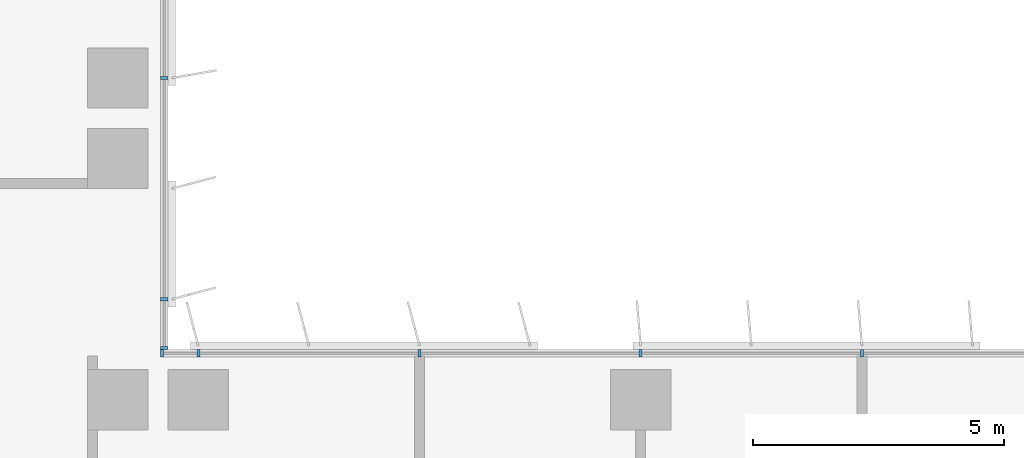
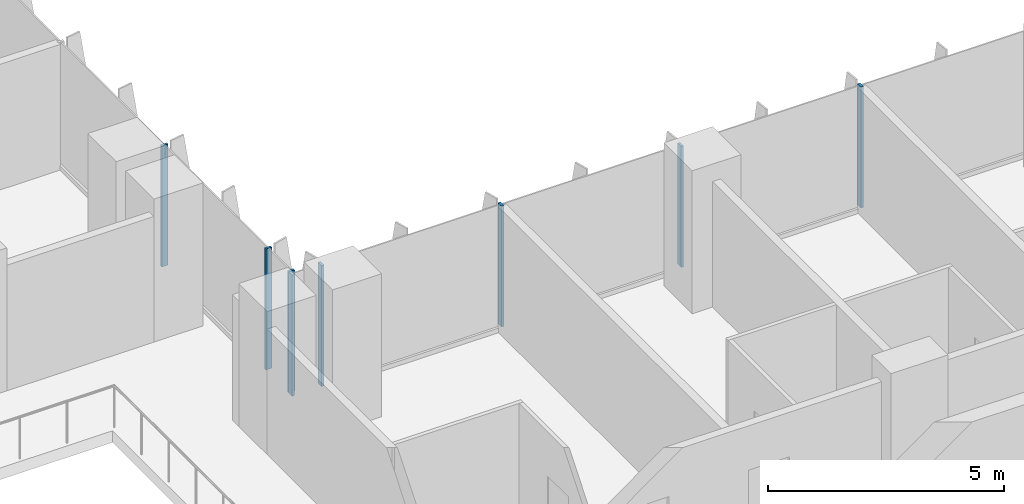
# One storey, part 2 of 22: 8 members, 2 elements without a shape of their own.
"""IFC4 building model written with IfcOpenShell, lengths in metres."""

from ifc_helpers import new_model, si_unit, direction, frame, origin, origin_2d, place, context, subcontext, project, spatial, rectangle, extrude, source, transform, mapped, material, material_profile, profile_set, type_object, element, aggregate, save


model = new_model("IFC4")

# Units and contexts
model_context = context("Model", 3, precision=1e-05, world=origin(), true_north=direction((0.0, 1.0)))
body_context = subcontext(model_context, "Body", "Model", "MODEL_VIEW")
ifc_project = project(units=[si_unit("LENGTHUNIT", "METRE"), si_unit("AREAUNIT", "SQUARE_METRE"), si_unit("VOLUMEUNIT", "CUBIC_METRE"), si_unit("PLANEANGLEUNIT", "RADIAN"), si_unit("MASSUNIT", "GRAM", prefix="KILO")], contexts=[model_context])

# Site, building, storey
site_placement = place(None, origin())
site = spatial("IfcSite", under=ifc_project, at=site_placement, CompositionType="ELEMENT")
building_placement = place(site_placement, origin())
building = spatial("IfcBuilding", under=site, at=building_placement, Name="Kemantara Hotel Tower", CompositionType="ELEMENT")
storey_placement = place(building_placement, frame((0.0, 0.0, 129.60009765625)))
storey = spatial("IfcBuildingStorey", under=building, at=storey_placement, Name="L31", CompositionType="ELEMENT", Elevation=129.60009765625)

# Curtain wall, members
ifc_material_1 = material(Name="Low-E tinted double insulated glass 36 mm", Category="glass")
curtain_wall_type = type_object("IfcCurtainWallType", Name="TOWER CURTAIN WALL, FRONT FACES", PredefinedType="USERDEFINED", material=ifc_material_1)
curtain_wall_1_placement = place(storey_placement, origin())
curtain_wall_1 = element("IfcCurtainWall", 1, at=curtain_wall_1_placement, inside=storey, type_object=curtain_wall_type, Name="CW4 L31 T2-R13-1", ObjectType="TOWER CURTAIN WALL, FRONT FACES", PredefinedType="USERDEFINED")
ifc_material_2 = material(Name="Aluminium 6063-T6 bronze anodised", Category="aluminium")
ifc_material_profile = material_profile(ifc_material_2, rectangle(XDim=0.14990234375, YDim=0.06005859375, at=origin_2d()), Name="TOWER CURTAIN WALL, FRONT FACES MULLION")
ifc_profile_set = profile_set([ifc_material_profile], Name="Aluminium 6063-T6 bronze anodised")
member_type = type_object("IfcMemberType", Name="TOWER CURTAIN WALL, FRONT FACES MULLION", PredefinedType="MULLION", material=ifc_profile_set)
shared_shape = source(origin(), body_context, "Body", "SweptSolid", [
    extrude(rectangle(XDim=0.14990234375, YDim=0.06005859375, at=origin_2d()), origin(), (0.0, 0.0, 1.0), 3.130126953125),
])
member_1_placement = place(storey_placement, frame((40.60009765625, 21.925048828125, 0.119873046875), z_axis=(0.0, 0.0, 1.0), x_axis=(0.0, -1.0, 0.0)))
member_1 = element("IfcMember", 2, at=member_1_placement, type_object=member_type, Name="CW4 mullion T2-R13-1.6", PredefinedType="MULLION", context=body_context, shape_type="MappedRepresentation", body=[
    mapped(shared_shape, transform((0.0, 0.0, 0.0))),
])
member_2_placement = place(storey_placement, frame((36.199951171875, 21.925048828125, 0.119873046875), z_axis=(0.0, 0.0, 1.0), x_axis=(0.0, -1.0, 0.0)))
member_2 = element("IfcMember", 3, at=member_2_placement, type_object=member_type, Name="CW4 mullion T2-R13-1.7", PredefinedType="MULLION", context=body_context, shape_type="MappedRepresentation", body=[
    mapped(shared_shape, transform((0.0, 0.0, 0.0))),
])
member_3_placement = place(storey_placement, frame((31.800048828125, 21.925048828125, 0.119873046875), z_axis=(0.0, 0.0, 1.0), x_axis=(0.0, -1.0, 0.0)))
member_3 = element("IfcMember", 4, at=member_3_placement, type_object=member_type, Name="CW4 mullion T2-R13-1.8", PredefinedType="MULLION", context=body_context, shape_type="MappedRepresentation", body=[
    mapped(shared_shape, transform((0.0, 0.0, 0.0))),
])
member_4_placement = place(storey_placement, frame((27.39990234375, 21.925048828125, 0.119873046875), z_axis=(0.0, 0.0, 1.0), x_axis=(0.0, -1.0, 0.0)))
member_4 = element("IfcMember", 5, at=member_4_placement, type_object=member_type, Name="CW4 mullion T2-R13-1.9", PredefinedType="MULLION", context=body_context, shape_type="MappedRepresentation", body=[
    mapped(shared_shape, transform((0.0, 0.0, 0.0))),
])
member_5_placement = place(storey_placement, frame((26.679931640625, 21.925048828125, 0.119873046875), z_axis=(0.0, 0.0, 1.0), x_axis=(0.0, -1.0, 0.0)))
member_5 = element("IfcMember", 6, at=member_5_placement, type_object=member_type, Name="CW4 mullion T2-R13-1.10", PredefinedType="MULLION", context=body_context, shape_type="MappedRepresentation", body=[
    mapped(shared_shape, transform((0.0, 0.0, 0.0))),
])
aggregate(curtain_wall_1, [member_1, member_2, member_3, member_4, member_5])

curtain_wall_2_placement = place(storey_placement, origin())
curtain_wall_2 = element("IfcCurtainWall", 7, at=curtain_wall_2_placement, inside=storey, type_object=curtain_wall_type, Name="CW4 L31 T2-R14-1", ObjectType="TOWER CURTAIN WALL, FRONT FACES", PredefinedType="USERDEFINED")
member_6_placement = place(storey_placement, frame((26.72509765625, 22.030029296875, 0.119873046875), z_axis=(0.0, 0.0, 1.0), x_axis=(-1.0, 0.0, 0.0)))
member_6 = element("IfcMember", 8, at=member_6_placement, type_object=member_type, Name="CW4 mullion T2-R14-1.1", PredefinedType="MULLION", context=body_context, shape_type="MappedRepresentation", body=[
    mapped(shared_shape, transform((0.0, 0.0, 0.0))),
])
member_7_placement = place(storey_placement, frame((26.72509765625, 23.0, 0.119873046875), z_axis=(0.0, 0.0, 1.0), x_axis=(-1.0, 0.0, 0.0)))
member_7 = element("IfcMember", 9, at=member_7_placement, type_object=member_type, Name="CW4 mullion T2-R14-1.2", PredefinedType="MULLION", context=body_context, shape_type="MappedRepresentation", body=[
    mapped(shared_shape, transform((0.0, 0.0, 0.0))),
])
member_8_placement = place(storey_placement, frame((26.72509765625, 27.39990234375, 0.119873046875), z_axis=(0.0, 0.0, 1.0), x_axis=(-1.0, 0.0, 0.0)))
member_8 = element("IfcMember", 10, at=member_8_placement, type_object=member_type, Name="CW4 mullion T2-R14-1.3", PredefinedType="MULLION", context=body_context, shape_type="MappedRepresentation", body=[
    mapped(shared_shape, transform((0.0, 0.0, 0.0))),
])
aggregate(curtain_wall_2, [member_6, member_7, member_8])

save(model, "model.ifc")
